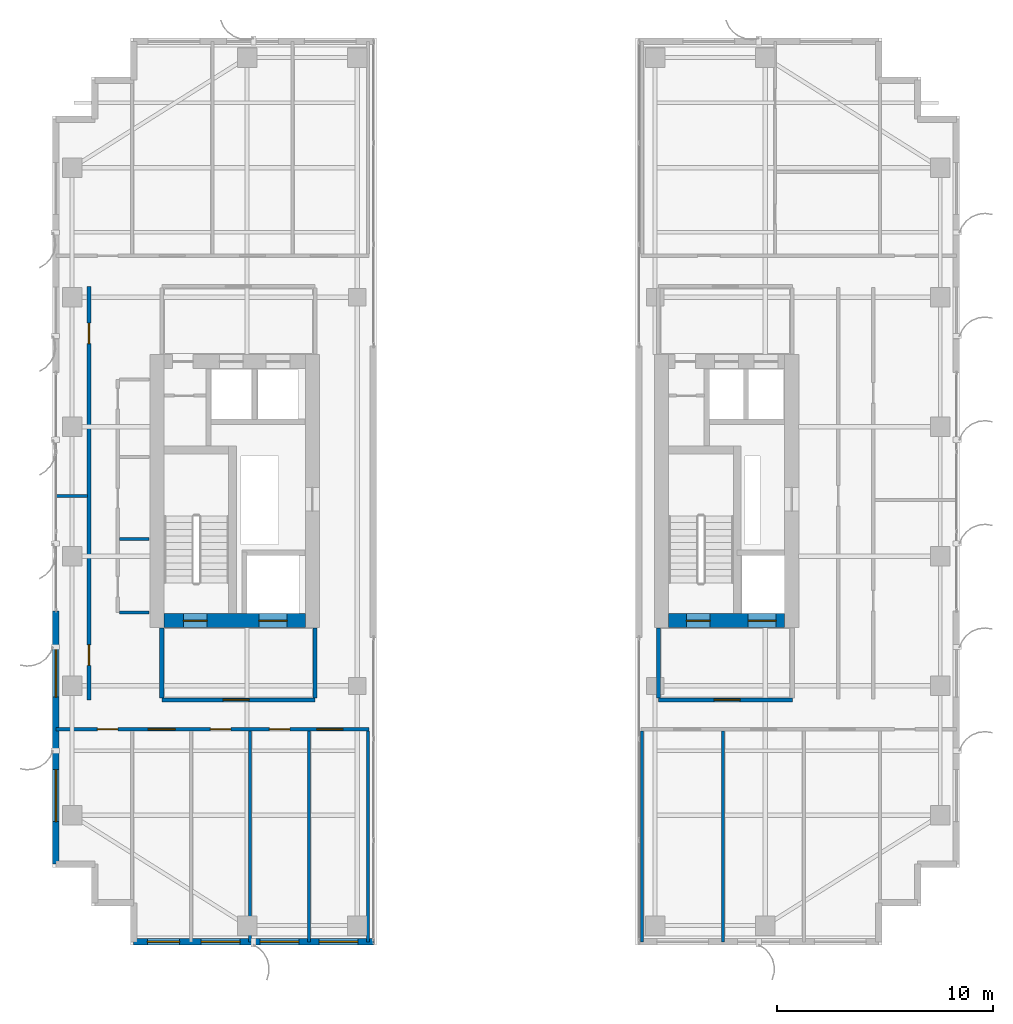
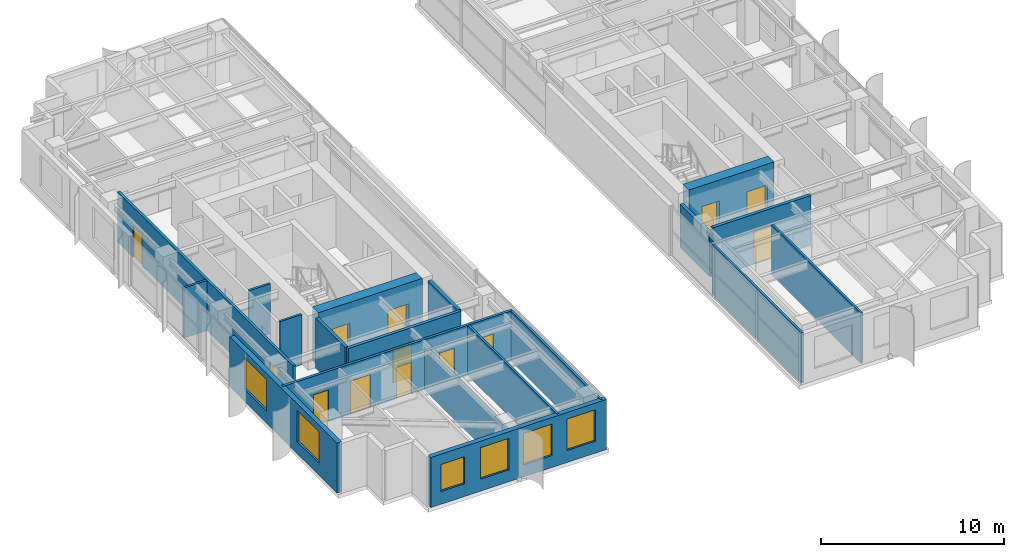
# One storey, part 16 of 22: 19 walls, 13 doors, 6 windows, 19 openings.
"""IFC4 building model written with IfcOpenShell, lengths in metres."""

import ifcopenshell
import ifcopenshell.guid

model = None  # the IFC model being written
_history = None  # IfcOwnerHistory: only IFC2X3 demands one
_inside = {}  # id of a spatial element -> (the spatial element, [elements in it])
_under = {}  # id of a project, library or spatial element -> (it, [spatial elements below it])
_declared = {}  # id of a project -> (the project, [libraries it declares])
_typed = {}  # id of a type object -> (the type object, [elements of that type])
_made_of = {}  # id of a material, layer set ... -> (it, [elements and type objects made of it])


def new_model(schema):
    """Start an empty IFC model of exactly this schema.

    Asked for "IFC4X3", IfcOpenShell would pick the latest addendum, in which some entities
    have other attributes; the version numbers below select the first issue.
    IFC2X3 requires an IfcOwnerHistory on every rooted entity: one is made here for all.
    """
    global model, _history
    if schema == "IFC4X3":
        model = ifcopenshell.file(schema_version=(4, 3, 0, 0))
    else:
        model = ifcopenshell.file(schema=schema)
    _inside.clear()
    _under.clear()
    _declared.clear()
    _typed.clear()
    _made_of.clear()
    _history = None
    if model.schema == "IFC2X3":
        org = make("IfcOrganization", Name="unknown")
        user = make(
            "IfcPersonAndOrganization",
            ThePerson=make("IfcPerson", FamilyName="unknown"),
            TheOrganization=org,
        )
        app = make(
            "IfcApplication",
            ApplicationDeveloper=org,
            Version="unknown",
            ApplicationFullName="unknown",
            ApplicationIdentifier="unknown",
        )
        _history = make(
            "IfcOwnerHistory",
            OwningUser=user,
            OwningApplication=app,
            ChangeAction="ADDED",
            CreationDate=0,
        )
    return model


def make(cls, **values):
    """One entity of the class cls with the attributes given. An attribute that is None is left unset."""
    return model.create_entity(
        cls, **{name: value for name, value in values.items() if value is not None}
    )


def rooted(cls, **values):
    """An entity with a GlobalId (a new one), such as an element, a storey or a relation."""
    return make(cls, GlobalId=ifcopenshell.guid.new(), OwnerHistory=_history, **values)


def si_unit(unit_type, name, prefix=None):
    """IfcSIUnit, for example si_unit("LENGTHUNIT", "METRE", prefix="MILLI")."""
    return make("IfcSIUnit", UnitType=unit_type, Prefix=prefix, Name=name)


def assignment(units):
    """IfcUnitAssignment: the units of a project."""
    return None if units is None else make("IfcUnitAssignment", Units=units)


def point(xyz):
    """IfcCartesianPoint."""
    return None if xyz is None else make("IfcCartesianPoint", Coordinates=xyz)


def direction(xyz):
    """IfcDirection."""
    return None if xyz is None else make("IfcDirection", DirectionRatios=xyz)


def frame(location, z_axis=None, x_axis=None):
    """IfcAxis2Placement3D, a coordinate frame: its origin and axes. An axis left out is left unset."""
    return make(
        "IfcAxis2Placement3D",
        Location=point(location),
        Axis=direction(z_axis),
        RefDirection=direction(x_axis),
    )


def frame_2d(location, x_axis=None):
    """IfcAxis2Placement2D, a coordinate frame in the plane: its origin and x axis."""
    return make(
        "IfcAxis2Placement2D", Location=point(location), RefDirection=direction(x_axis)
    )


def origin():
    """The frame at (0, 0, 0) with its axes left unset."""
    return frame((0.0, 0.0, 0.0))


def place(relative_to, where):
    """IfcLocalPlacement: puts the frame where relative to a parent placement (None: the world)."""
    return make(
        "IfcLocalPlacement", PlacementRelTo=relative_to, RelativePlacement=where
    )


def context(
    kind, dimensions, precision=None, world=None, true_north=None, identifier=None
):
    """IfcGeometricRepresentationContext, for example the 3D "Model" context."""
    return make(
        "IfcGeometricRepresentationContext",
        ContextIdentifier=identifier,
        ContextType=kind,
        CoordinateSpaceDimension=dimensions,
        Precision=precision,
        WorldCoordinateSystem=world,
        TrueNorth=true_north,
    )


def subcontext(parent, identifier, kind, view, scale=None):
    """IfcGeometricRepresentationSubContext, for example "Body" below "Model"."""
    return make(
        "IfcGeometricRepresentationSubContext",
        ContextIdentifier=identifier,
        ContextType=kind,
        ParentContext=parent,
        TargetScale=scale,
        TargetView=view,
    )


def project(units=None, contexts=None):
    """IfcProject with its units and contexts."""
    return rooted(
        "IfcProject",
        Name="project",
        RepresentationContexts=contexts,
        UnitsInContext=assignment(units),
    )


def spatial(cls, under=None, at=None, **own):
    """A site, building, storey or space (cls), placed at a placement, below another one or the project."""
    s = rooted(cls, ObjectPlacement=at, **own)
    if under is not None:
        _under.setdefault(under.id(), (under, []))[1].append(s)
    return s


def profile(cls, at=None, kind="AREA", **sizes):
    """A parametric profile (cls). Its sizes go by their IFC names, for example OverallWidth=200.0."""
    return make(cls, ProfileType=kind, Position=at, **sizes)


def rectangle(**sizes):
    """IfcRectangleProfileDef."""
    return profile("IfcRectangleProfileDef", **sizes)


def extrude(swept, where, along, depth):
    """IfcExtrudedAreaSolid: the profile swept, set in the frame where, extruded along a direction by depth."""
    return make(
        "IfcExtrudedAreaSolid",
        SweptArea=swept,
        Position=where,
        ExtrudedDirection=direction(along),
        Depth=depth,
    )


def shape(context_of_items, identifier, shape_type, items):
    """IfcShapeRepresentation: the items that make up one representation, for example the "Body"."""
    return make(
        "IfcShapeRepresentation",
        ContextOfItems=context_of_items,
        RepresentationIdentifier=identifier,
        RepresentationType=shape_type,
        Items=items,
    )


def source(mapping_origin, context_of_items, identifier, shape_type, items):
    """IfcRepresentationMap: a shape defined once, which mapped items show again and again."""
    return make(
        "IfcRepresentationMap",
        MappingOrigin=mapping_origin,
        MappedRepresentation=shape(context_of_items, identifier, shape_type, items),
    )


def transform(
    local_origin,
    x_axis=None,
    y_axis=None,
    z_axis=None,
    scale=None,
    scale2=None,
    scale3=None,
    uniform=True,
):
    """IfcCartesianTransformationOperator3D, or its non-uniform kind. x_axis, y_axis, z_axis: its Axis1, 2, 3."""
    if uniform:
        return make(
            "IfcCartesianTransformationOperator3D",
            Axis1=direction(x_axis),
            Axis2=direction(y_axis),
            LocalOrigin=point(local_origin),
            Scale=scale,
            Axis3=direction(z_axis),
        )
    return make(
        "IfcCartesianTransformationOperator3DnonUniform",
        Axis1=direction(x_axis),
        Axis2=direction(y_axis),
        LocalOrigin=point(local_origin),
        Scale=scale,
        Axis3=direction(z_axis),
        Scale2=scale2,
        Scale3=scale3,
    )


def mapped(mapping_source, mapping_target):
    """IfcMappedItem: shows the shape of a source again, moved by a transform."""
    return make(
        "IfcMappedItem", MappingSource=mapping_source, MappingTarget=mapping_target
    )


def material(Name=None, Category=None):
    """IfcMaterial."""
    return make("IfcMaterial", Name=Name, Category=Category)


def layer(
    of_material, thickness, ventilated=None, Name=None, Category=None, Priority=None
):
    """IfcMaterialLayer: one layer of a wall or slab, of a material (None: an air gap)."""
    return make(
        "IfcMaterialLayer",
        Material=of_material,
        LayerThickness=thickness,
        IsVentilated=ventilated,
        Name=Name,
        Category=Category,
        Priority=Priority,
    )


def layer_set(layers, Name=None):
    """IfcMaterialLayerSet."""
    return make("IfcMaterialLayerSet", MaterialLayers=layers, LayerSetName=Name)


def made_of(thing, what):
    """Note that an element or type object is made of a material, layer set ...; save() writes the relation."""
    if what is not None:
        _made_of.setdefault(what.id(), (what, []))[1].append(thing)
    return thing


def type_object(cls, material=None, **own):
    """A type object (cls), such as IfcWallType, which elements share."""
    return made_of(rooted(cls, **own), material)


def element(
    cls,
    number,
    at=None,
    inside=None,
    cuts=None,
    type_object=None,
    material=None,
    context=None,
    identifier="Body",
    shape_type=None,
    held_by="IfcProductDefinitionShape",
    body=None,
    shapes=None,
    **own,
):
    """One element of the class cls, such as IfcWall. Its Tag is "e" and its number.

    at: its placement. inside: the storey or other place that contains it. cuts: it is an
    opening in that element (IfcRelVoidsElement). A single representation is given by context,
    identifier, shape_type and body (its items); several are given by shapes. held_by: the class
    of the entity that holds the representations. save() writes the other relations.
    """
    e = rooted(cls, Tag="e%d" % number, ObjectPlacement=at, **own)
    if body is not None:
        shapes = [shape(context, identifier, shape_type, body)]
    if shapes is not None:
        e.Representation = make(held_by, Representations=shapes)
    if inside is not None:
        _inside.setdefault(inside.id(), (inside, []))[1].append(e)
    if cuts is not None:
        rooted(
            "IfcRelVoidsElement", RelatingBuildingElement=cuts, RelatedOpeningElement=e
        )
    if type_object is not None:
        _typed.setdefault(type_object.id(), (type_object, []))[1].append(e)
    return made_of(e, material)


def fill(opening, filler):
    """IfcRelFillsElement: the door or window that sits in an opening."""
    return rooted(
        "IfcRelFillsElement",
        RelatingOpeningElement=opening,
        RelatedBuildingElement=filler,
    )


def aggregate(whole, parts):
    """IfcRelAggregates: a whole, such as a stair, and the parts it consists of."""
    return rooted("IfcRelAggregates", RelatingObject=whole, RelatedObjects=parts)


def save(model, path):
    """Write the relations noted so far, then the file.

    IfcRelAggregates (storeys below a building ...), IfcRelContainedInSpatialStructure (elements
    in a storey), IfcRelDefinesByType, IfcRelAssociatesMaterial and IfcRelDeclares: one each for
    every whole, place, type object, material and project.
    """
    for whole, parts in _under.values():
        aggregate(whole, parts)
    for where, things in _inside.values():
        rooted(
            "IfcRelContainedInSpatialStructure",
            RelatedElements=things,
            RelatingStructure=where,
        )
    for kind, things in _typed.values():
        rooted("IfcRelDefinesByType", RelatedObjects=things, RelatingType=kind)
    for what, things in _made_of.values():
        rooted("IfcRelAssociatesMaterial", RelatedObjects=things, RelatingMaterial=what)
    for by, libraries in _declared.values():
        rooted("IfcRelDeclares", RelatingContext=by, RelatedDefinitions=libraries)
    model.write(path)


model = new_model("IFC4")

# Units and contexts
model_context = context("Model", 3, precision=1e-05, world=origin(), true_north=direction((0.0, 1.0)))
body_context = subcontext(model_context, "Body", "Model", "MODEL_VIEW")
ifc_project = project(units=[si_unit("LENGTHUNIT", "METRE"), si_unit("AREAUNIT", "SQUARE_METRE"), si_unit("VOLUMEUNIT", "CUBIC_METRE"), si_unit("PLANEANGLEUNIT", "RADIAN"), si_unit("MASSUNIT", "GRAM", prefix="KILO")], contexts=[model_context])

# Site, building, storey
site_placement = place(None, origin())
site = spatial("IfcSite", under=ifc_project, at=site_placement, CompositionType="ELEMENT")
building_placement = place(site_placement, origin())
building = spatial("IfcBuilding", under=site, at=building_placement, Name="Khoralis Quay Care Tower", CompositionType="ELEMENT")
storey_placement = place(building_placement, frame((0.0, 0.0, 195.300048828125)))
storey = spatial("IfcBuildingStorey", under=building, at=storey_placement, Name="L51", CompositionType="ELEMENT", Elevation=195.300048828125)

# Wall, opening, door
ifc_material_1 = material(Name="Gypsum plasterboard on acoustic metal stud")
ifc_layer_1 = layer(ifc_material_1, 0.199951171875)
ifc_layer_set_1 = layer_set([ifc_layer_1], Name="Gypsum plasterboard on acoustic metal stud")
wall_type_1 = type_object("IfcWallType", Name="WL-COMP-200", PredefinedType="PARTITIONING", material=ifc_layer_set_1)
wall_1_placement = place(storey_placement, frame((8.050048828125, 11.35009765625, 0.0), z_axis=(0.0, 0.0, 1.0), x_axis=(1.0, 0.0, 0.0)))
wall_1 = element("IfcWall", 1, at=wall_1_placement, inside=storey, type_object=wall_type_1, Name="L51 West Firefighting Lobby South Wall", PredefinedType="PARTITIONING", context=body_context, shape_type="SweptSolid", body=[
    extrude(rectangle(XDim=7.099853515625, YDim=0.199951171875, at=frame_2d((3.5498046875, 0.0))), origin(), (0.0, 0.0, 1.0), 3.33984375),
])
opening_1_placement = place(wall_1_placement, frame((2.846435546875, 0.0, 0.0)))
opening_1 = element("IfcOpeningElement", 2, at=opening_1_placement, cuts=wall_1, Name="Opening FD1", PredefinedType="OPENING", context=body_context, shape_type="SweptSolid", body=[
    extrude(rectangle(XDim=1.199951171875, YDim=2.199951171875, at=frame_2d((0.60009765625, 1.10009765625))), frame((0.0, 0.10986328125, 0.0), z_axis=(0.0, -1.0, 0.0), x_axis=(1.0, 0.0, 0.0)), (0.0, 0.0, 1.0), 0.219970703125),
])
ifc_material_2 = material(Name="Fire-rated painted steel", Category="steel")
door_type_1 = type_object("IfcDoorType", Name="DR-FFL-1200X2200", OperationType="NOTDEFINED", PredefinedType="DOOR", material=ifc_material_2)
shared_shape_1 = source(origin(), body_context, "Body", "SweptSolid", [
    extrude(rectangle(XDim=1.199951171875, YDim=2.199951171875, at=frame_2d((0.60009765625, 1.10009765625))), frame((0.0, 0.02490234375, 0.0), z_axis=(0.0, -1.0, 0.0), x_axis=(1.0, 0.0, 0.0)), (0.0, 0.0, 1.0), 0.050048828125),
])
door_1_placement = place(opening_1_placement, origin())
door_1 = element("IfcDoor", 3, at=door_1_placement, inside=storey, type_object=door_type_1, Name="L51 West Firefighting Lobby Fire Door", OperationType="SINGLE_SWING_LEFT", OverallHeight=2.199951171875, OverallWidth=1.199951171875, PredefinedType="DOOR", context=body_context, shape_type="MappedRepresentation", body=[
    mapped(shared_shape_1, transform((0.0, 0.0, 0.0), scale=1.0)),
])
fill(opening_1, door_1)

# Walls
for number, where, z_axis, x_axis, name in (
    (4, (8.050048828125, 11.445068359375, 0.0), (0.0, 0.0, 1.0), (0.0, 1.0, 0.0), "L51 West Firefighting Lobby West Wall"),
    (5, (15.14990234375, 11.445068359375, 0.0), (0.0, 0.0, 1.0), (0.0, 1.0, 0.0), "L51 West Firefighting Lobby East Wall"),
):
    element("IfcWall", number, at=place(storey_placement, frame(where, z_axis=z_axis, x_axis=x_axis)), inside=storey, type_object=wall_type_1, Name=name, PredefinedType="PARTITIONING", context=body_context, shape_type="SweptSolid", body=[
        extrude(rectangle(XDim=3.23486328125, YDim=0.199951171875, at=frame_2d((1.617431640625, 0.0))), origin(), (0.0, 0.0, 1.0), 3.33984375),
    ])

# Wall, opening, door
wall_2_placement = place(storey_placement, frame((31.050048828125, 11.35009765625, 0.0), z_axis=(0.0, 0.0, 1.0), x_axis=(1.0, 0.0, 0.0)))
wall_2 = element("IfcWall", 6, at=wall_2_placement, inside=storey, type_object=wall_type_1, Name="L51 East Firefighting Lobby South Wall", PredefinedType="PARTITIONING", context=body_context, shape_type="SweptSolid", body=[
    extrude(rectangle(XDim=6.199951171875, YDim=0.199951171875, at=frame_2d((3.10009765625, 0.0))), origin(), (0.0, 0.0, 1.0), 3.33984375),
])
opening_2_placement = place(wall_2_placement, frame((2.585693359375, 0.0, 0.0)))
opening_2 = element("IfcOpeningElement", 7, at=opening_2_placement, cuts=wall_2, Name="Opening FD1", PredefinedType="OPENING", context=body_context, shape_type="SweptSolid", body=[
    extrude(rectangle(XDim=1.199951171875, YDim=2.199951171875, at=frame_2d((0.60009765625, 1.10009765625))), frame((0.0, 0.10986328125, 0.0), z_axis=(0.0, -1.0, 0.0), x_axis=(1.0, 0.0, 0.0)), (0.0, 0.0, 1.0), 0.219970703125),
])
door_2_placement = place(opening_2_placement, origin())
door_2 = element("IfcDoor", 8, at=door_2_placement, inside=storey, type_object=door_type_1, Name="L51 East Firefighting Lobby Fire Door", OperationType="SINGLE_SWING_RIGHT", OverallHeight=2.199951171875, OverallWidth=1.199951171875, PredefinedType="DOOR", context=body_context, shape_type="MappedRepresentation", body=[
    mapped(shared_shape_1, transform((0.0, 0.0, 0.0), scale=1.0)),
])
fill(opening_2, door_2)

# Wall
wall_3_placement = place(storey_placement, frame((31.050048828125, 11.445068359375, 0.0), z_axis=(0.0, 0.0, 1.0), x_axis=(0.0, 1.0, 0.0)))
element("IfcWall", 9, at=wall_3_placement, inside=storey, type_object=wall_type_1, Name="L51 East Firefighting Lobby West Wall", PredefinedType="PARTITIONING", context=body_context, shape_type="SweptSolid", body=[
    extrude(rectangle(XDim=3.23486328125, YDim=0.199951171875, at=frame_2d((1.617431640625, 0.0))), origin(), (0.0, 0.0, 1.0), 2.876953125),
])

# Wall, openings, doors
ifc_material_3 = material(Name="Concrete C65/80", Category="concrete")
ifc_layer_2 = layer(ifc_material_3, 0.64990234375)
ifc_layer_set_2 = layer_set([ifc_layer_2], Name="Concrete C65/80")
wall_type_2 = type_object("IfcWallType", Name="WL-CORE-650", PredefinedType="SHEAR", material=ifc_layer_set_2)
wall_4_placement = place(storey_placement, frame((8.14990234375, 15.02490234375, 0.0), z_axis=(0.0, 0.0, 1.0), x_axis=(1.0, 0.0, 0.0)))
wall_4 = element("IfcWall", 10, at=wall_4_placement, inside=storey, type_object=wall_type_2, Name="L51 WCORE South Shear Wall", PredefinedType="SHEAR", context=body_context, shape_type="SweptSolid", body=[
    extrude(rectangle(XDim=6.550048828125, YDim=0.64990234375, at=frame_2d((3.27490234375, 0.0))), origin(), (0.0, 0.0, 1.0), 3.599853515625),
])
opening_3_placement = place(wall_4_placement, frame((0.89990234375, 0.0, 0.0)))
opening_3 = element("IfcOpeningElement", 11, at=opening_3_placement, cuts=wall_4, Name="Opening SD1", PredefinedType="OPENING", context=body_context, shape_type="SweptSolid", body=[
    extrude(rectangle(XDim=1.10009765625, YDim=2.199951171875, at=frame_2d((0.550048828125, 1.10009765625))), frame((0.0, 0.3349609375, 0.0), z_axis=(0.0, -1.0, 0.0), x_axis=(1.0, 0.0, 0.0)), (0.0, 0.0, 1.0), 0.669921875),
])
opening_4_placement = place(wall_4_placement, frame((4.39990234375, 0.0, 0.0)))
opening_4 = element("IfcOpeningElement", 12, at=opening_4_placement, cuts=wall_4, Name="Opening LD2", PredefinedType="OPENING", context=body_context, shape_type="SweptSolid", body=[
    extrude(rectangle(XDim=1.300048828125, YDim=2.199951171875, at=frame_2d((0.64990234375, 1.10009765625))), frame((0.0, 0.3349609375, 0.0), z_axis=(0.0, -1.0, 0.0), x_axis=(1.0, 0.0, 0.0)), (0.0, 0.0, 1.0), 0.669921875),
])
door_type_2 = type_object("IfcDoorType", Name="DR-STAIR-1100X2200", OperationType="NOTDEFINED", PredefinedType="DOOR", material=ifc_material_2)
shared_shape_2 = source(origin(), body_context, "Body", "SweptSolid", [
    extrude(rectangle(XDim=1.10009765625, YDim=2.199951171875, at=frame_2d((0.550048828125, 1.10009765625))), frame((0.0, 0.02490234375, 0.0), z_axis=(0.0, -1.0, 0.0), x_axis=(1.0, 0.0, 0.0)), (0.0, 0.0, 1.0), 0.050048828125),
])
door_3_placement = place(opening_3_placement, origin())
door_3 = element("IfcDoor", 13, at=door_3_placement, inside=storey, type_object=door_type_2, Name="L51 Stair ST-T1 Fire Door", OperationType="SINGLE_SWING_LEFT", OverallHeight=2.199951171875, OverallWidth=1.10009765625, PredefinedType="DOOR", context=body_context, shape_type="MappedRepresentation", body=[
    mapped(shared_shape_2, transform((0.0, 0.0, 0.0), scale=1.0)),
])
fill(opening_3, door_3)
ifc_material_4 = material(Name="Brushed stainless steel", Category="steel")
door_type_3 = type_object("IfcDoorType", Name="DR-LIFT-1300X2200", OperationType="SLIDING_TO_RIGHT", PredefinedType="DOOR", material=ifc_material_4)
shared_shape_3 = source(origin(), body_context, "Body", "SweptSolid", [
    extrude(rectangle(XDim=1.300048828125, YDim=2.199951171875, at=frame_2d((0.64990234375, 1.10009765625))), frame((0.0, 0.02490234375, 0.0), z_axis=(0.0, -1.0, 0.0), x_axis=(1.0, 0.0, 0.0)), (0.0, 0.0, 1.0), 0.050048828125),
])
door_4_placement = place(opening_4_placement, origin())
door_4 = element("IfcDoor", 14, at=door_4_placement, inside=storey, type_object=door_type_3, Name="L51 Firefighting Lift FFL-1 Landing Door", OperationType="SLIDING_TO_RIGHT", OverallHeight=2.199951171875, OverallWidth=1.300048828125, PredefinedType="DOOR", context=body_context, shape_type="MappedRepresentation", body=[
    mapped(shared_shape_3, transform((0.0, 0.0, 0.0), scale=1.0)),
])
fill(opening_4, door_4)

wall_5_placement = place(storey_placement, frame((31.52001953125, 15.02490234375, 0.0), z_axis=(0.0, 0.0, 1.0), x_axis=(1.0, 0.0, 0.0)))
wall_5 = element("IfcWall", 15, at=wall_5_placement, inside=storey, type_object=wall_type_2, Name="L51 ECORE South Shear Wall", PredefinedType="SHEAR", context=body_context, shape_type="SweptSolid", body=[
    extrude(rectangle(XDim=5.3798828125, YDim=0.64990234375, at=frame_2d((2.68994140625, 0.0))), origin(), (0.0, 0.0, 1.0), 3.599853515625),
])
opening_5_placement = place(wall_5_placement, frame((0.830078125, 0.0, 0.0)))
opening_5 = element("IfcOpeningElement", 16, at=opening_5_placement, cuts=wall_5, Name="Opening SD1", PredefinedType="OPENING", context=body_context, shape_type="SweptSolid", body=[
    extrude(rectangle(XDim=1.10009765625, YDim=2.199951171875, at=frame_2d((0.550048828125, 1.10009765625))), frame((0.0, 0.3349609375, 0.0), z_axis=(0.0, -1.0, 0.0), x_axis=(1.0, 0.0, 0.0)), (0.0, 0.0, 1.0), 0.669921875),
])
opening_6_placement = place(wall_5_placement, frame((3.679931640625, 0.0, 0.0)))
opening_6 = element("IfcOpeningElement", 17, at=opening_6_placement, cuts=wall_5, Name="Opening LD2", PredefinedType="OPENING", context=body_context, shape_type="SweptSolid", body=[
    extrude(rectangle(XDim=1.300048828125, YDim=2.199951171875, at=frame_2d((0.64990234375, 1.10009765625))), frame((0.0, 0.3349609375, 0.0), z_axis=(0.0, -1.0, 0.0), x_axis=(1.0, 0.0, 0.0)), (0.0, 0.0, 1.0), 0.669921875),
])
door_5_placement = place(opening_5_placement, origin())
door_5 = element("IfcDoor", 18, at=door_5_placement, inside=storey, type_object=door_type_2, Name="L51 Stair ST-T2 Fire Door", OperationType="SINGLE_SWING_RIGHT", OverallHeight=2.199951171875, OverallWidth=1.10009765625, PredefinedType="DOOR", context=body_context, shape_type="MappedRepresentation", body=[
    mapped(shared_shape_2, transform((0.0, 0.0, 0.0), scale=1.0)),
])
fill(opening_5, door_5)
door_6_placement = place(opening_6_placement, origin())
door_6 = element("IfcDoor", 19, at=door_6_placement, inside=storey, type_object=door_type_3, Name="L51 Firefighting Lift FFL-2 Landing Door", OperationType="SLIDING_TO_RIGHT", OverallHeight=2.199951171875, OverallWidth=1.300048828125, PredefinedType="DOOR", context=body_context, shape_type="MappedRepresentation", body=[
    mapped(shared_shape_3, transform((0.0, 0.0, 0.0), scale=1.0)),
])
fill(opening_6, door_6)

ifc_layer_3 = layer(ifc_material_1, 0.1650390625)
ifc_layer_set_3 = layer_set([ifc_layer_3], Name="Gypsum plasterboard on acoustic metal stud")
wall_type_3 = type_object("IfcWallType", Name="WL-CORR-165", PredefinedType="PARTITIONING", material=ifc_layer_set_3)
wall_6_placement = place(storey_placement, frame((3.14501953125, 9.989990234375, 0.0), z_axis=(0.0, 0.0, 1.0), x_axis=(1.0, 0.0, 0.0)))
wall_6 = element("IfcWall", 20, at=wall_6_placement, inside=storey, type_object=wall_type_3, Name="L51 West Wing South Corridor Wall", PredefinedType="PARTITIONING", context=body_context, shape_type="SweptSolid", body=[
    extrude(rectangle(XDim=14.5048828125, YDim=0.1650390625, at=frame_2d((7.25244140625, 0.0))), origin(), (0.0, 0.0, 1.0), 3.33984375),
])
opening_7_placement = place(wall_6_placement, frame((4.27490234375, 0.0, 0.0)))
opening_7 = element("IfcOpeningElement", 21, at=opening_7_placement, cuts=wall_6, Name="Opening CD1", PredefinedType="OPENING", context=body_context, shape_type="SweptSolid", body=[
    extrude(rectangle(XDim=1.25, YDim=2.199951171875, at=frame_2d((0.625, 1.10009765625))), frame((0.0, 0.092529296875, 0.0), z_axis=(0.0, -1.0, 0.0), x_axis=(1.0, 0.0, 0.0)), (0.0, 0.0, 1.0), 0.18505859375),
])
opening_8_placement = place(wall_6_placement, frame((7.155029296875, 0.0, 0.0)))
opening_8 = element("IfcOpeningElement", 22, at=opening_8_placement, cuts=wall_6, Name="Opening ID1", PredefinedType="OPENING", context=body_context, shape_type="SweptSolid", body=[
    extrude(rectangle(XDim=0.949951171875, YDim=2.10009765625, at=frame_2d((0.47509765625, 1.050048828125))), frame((0.0, 0.092529296875, 0.0), z_axis=(0.0, -1.0, 0.0), x_axis=(1.0, 0.0, 0.0)), (0.0, 0.0, 1.0), 0.18505859375),
])
opening_9_placement = place(wall_6_placement, frame((9.885009765625, 0.0, 0.0)))
opening_9 = element("IfcOpeningElement", 23, at=opening_9_placement, cuts=wall_6, Name="Opening ID1", PredefinedType="OPENING", context=body_context, shape_type="SweptSolid", body=[
    extrude(rectangle(XDim=0.949951171875, YDim=2.10009765625, at=frame_2d((0.47509765625, 1.050048828125))), frame((0.0, 0.092529296875, 0.0), z_axis=(0.0, -1.0, 0.0), x_axis=(1.0, 0.0, 0.0)), (0.0, 0.0, 1.0), 0.18505859375),
])
opening_10_placement = place(wall_6_placement, frame((12.090087890625, 0.0, 0.0)))
opening_10 = element("IfcOpeningElement", 24, at=opening_10_placement, cuts=wall_6, Name="Opening FD1", PredefinedType="OPENING", context=body_context, shape_type="SweptSolid", body=[
    extrude(rectangle(XDim=1.199951171875, YDim=2.199951171875, at=frame_2d((0.60009765625, 1.10009765625))), frame((0.0, 0.092529296875, 0.0), z_axis=(0.0, -1.0, 0.0), x_axis=(1.0, 0.0, 0.0)), (0.0, 0.0, 1.0), 0.18505859375),
])
opening_11_placement = place(wall_6_placement, frame((1.919921875, 0.0, 0.0)))
opening_11 = element("IfcOpeningElement", 25, at=opening_11_placement, cuts=wall_6, Name="Opening ID1", PredefinedType="OPENING", context=body_context, shape_type="SweptSolid", body=[
    extrude(rectangle(XDim=0.949951171875, YDim=2.10009765625, at=frame_2d((0.47509765625, 1.050048828125))), frame((0.0, 0.092529296875, 0.0), z_axis=(0.0, -1.0, 0.0), x_axis=(1.0, 0.0, 0.0)), (0.0, 0.0, 1.0), 0.18505859375),
])
door_7_placement = place(opening_10_placement, frame((1.199951171875, 0.0, 0.0), z_axis=(0.0, 0.0, 1.0), x_axis=(-1.0, 0.0, 0.0)))
door_7 = element("IfcDoor", 26, at=door_7_placement, inside=storey, type_object=door_type_1, Name="L51 Senior Wellness Pharmacy Shop Door", OperationType="DOUBLE_DOOR_SINGLE_SWING", OverallHeight=2.199951171875, OverallWidth=1.199951171875, PredefinedType="DOOR", context=body_context, shape_type="MappedRepresentation", body=[
    mapped(shared_shape_1, transform((0.0, 0.0, 0.0), scale=1.0)),
])
fill(opening_10, door_7)
ifc_material_5 = material(Name="Acoustic hardwood timber", Category="wood")
door_type_4 = type_object("IfcDoorType", Name="DR-CARE-1250X2200", OperationType="NOTDEFINED", PredefinedType="DOOR", material=ifc_material_5)
shared_shape_4 = source(origin(), body_context, "Body", "SweptSolid", [
    extrude(rectangle(XDim=1.25, YDim=2.199951171875, at=frame_2d((0.625, 1.10009765625))), frame((0.0, 0.02490234375, 0.0), z_axis=(0.0, -1.0, 0.0), x_axis=(1.0, 0.0, 0.0)), (0.0, 0.0, 1.0), 0.050048828125),
])
door_8_placement = place(opening_7_placement, frame((1.25, 0.0, 0.0), z_axis=(0.0, 0.0, 1.0), x_axis=(-1.0, 0.0, 0.0)))
door_8 = element("IfcDoor", 27, at=door_8_placement, inside=storey, type_object=door_type_4, Name="L51 Geriatric Consultation Clinic Door", OperationType="SINGLE_SWING_RIGHT", OverallHeight=2.199951171875, OverallWidth=1.25, PredefinedType="DOOR", context=body_context, shape_type="MappedRepresentation", body=[
    mapped(shared_shape_4, transform((0.0, 0.0, 0.0), scale=1.0)),
])
fill(opening_7, door_8)
door_type_5 = type_object("IfcDoorType", Name="DR-ROOM-950X2100", OperationType="NOTDEFINED", PredefinedType="DOOR", material=ifc_material_5)
shared_shape_5 = source(origin(), body_context, "Body", "SweptSolid", [
    extrude(rectangle(XDim=0.949951171875, YDim=2.10009765625, at=frame_2d((0.47509765625, 1.050048828125))), frame((0.0, 0.02490234375, 0.0), z_axis=(0.0, -1.0, 0.0), x_axis=(1.0, 0.0, 0.0)), (0.0, 0.0, 1.0), 0.050048828125),
])
door_9_placement = place(opening_8_placement, frame((0.949951171875, 0.0, 0.0), z_axis=(0.0, 0.0, 1.0), x_axis=(-1.0, 0.0, 0.0)))
door_9 = element("IfcDoor", 28, at=door_9_placement, inside=storey, type_object=door_type_5, Name="L51 Care Coordination Office Door", OperationType="SINGLE_SWING_RIGHT", OverallHeight=2.10009765625, OverallWidth=0.949951171875, PredefinedType="DOOR", context=body_context, shape_type="MappedRepresentation", body=[
    mapped(shared_shape_5, transform((0.0, 0.0, 0.0), scale=1.0)),
])
fill(opening_8, door_9)
door_10_placement = place(opening_9_placement, frame((0.949951171875, 0.0, 0.0), z_axis=(0.0, 0.0, 1.0), x_axis=(-1.0, 0.0, 0.0)))
door_10 = element("IfcDoor", 29, at=door_10_placement, inside=storey, type_object=door_type_5, Name="L51 Family Case Conference Room Door", OperationType="SINGLE_SWING_LEFT", OverallHeight=2.10009765625, OverallWidth=0.949951171875, PredefinedType="DOOR", context=body_context, shape_type="MappedRepresentation", body=[
    mapped(shared_shape_5, transform((0.0, 0.0, 0.0), scale=1.0)),
])
fill(opening_9, door_10)
door_11_placement = place(opening_11_placement, frame((0.949951171875, 0.0, 0.0), z_axis=(0.0, 0.0, 1.0), x_axis=(-1.0, 0.0, 0.0)))
door_11 = element("IfcDoor", 30, at=door_11_placement, inside=storey, type_object=door_type_5, Name="L51 SW Corner Door", OperationType="SINGLE_SWING_LEFT", OverallHeight=2.10009765625, OverallWidth=0.949951171875, PredefinedType="DOOR", context=body_context, shape_type="MappedRepresentation", body=[
    mapped(shared_shape_5, transform((0.0, 0.0, 0.0), scale=1.0)),
])
fill(opening_11, door_11)

wall_7_placement = place(storey_placement, frame((4.679931640625, 11.35009765625, 0.0), z_axis=(0.0, 0.0, 1.0), x_axis=(0.0, 1.0, 0.0)))
wall_7 = element("IfcWall", 31, at=wall_7_placement, inside=storey, type_object=wall_type_3, Name="L51 West Mid South Entry Wall", PredefinedType="PARTITIONING", context=body_context, shape_type="SweptSolid", body=[
    extrude(rectangle(XDim=19.14990234375, YDim=0.1650390625, at=frame_2d((9.574951171875, 0.0))), origin(), (0.0, 0.0, 1.0), 3.33984375),
])
opening_12_placement = place(wall_7_placement, frame((1.60009765625, 0.0, 0.0)))
opening_12 = element("IfcOpeningElement", 32, at=opening_12_placement, cuts=wall_7, Name="Opening ID1", PredefinedType="OPENING", context=body_context, shape_type="SweptSolid", body=[
    extrude(rectangle(XDim=0.949951171875, YDim=2.10009765625, at=frame_2d((0.47509765625, 1.050048828125))), frame((0.0, 0.092529296875, 0.0), z_axis=(0.0, -1.0, 0.0), x_axis=(1.0, 0.0, 0.0)), (0.0, 0.0, 1.0), 0.18505859375),
])
opening_13_placement = place(wall_7_placement, frame((16.5, 0.0, 0.0)))
opening_13 = element("IfcOpeningElement", 33, at=opening_13_placement, cuts=wall_7, Name="Opening ID1", PredefinedType="OPENING", context=body_context, shape_type="SweptSolid", body=[
    extrude(rectangle(XDim=0.949951171875, YDim=2.10009765625, at=frame_2d((0.47509765625, 1.050048828125))), frame((0.0, 0.092529296875, 0.0), z_axis=(0.0, -1.0, 0.0), x_axis=(1.0, 0.0, 0.0)), (0.0, 0.0, 1.0), 0.18505859375),
])
door_12_placement = place(opening_12_placement, frame((0.949951171875, 0.0, 0.0), z_axis=(0.0, 0.0, 1.0), x_axis=(-1.0, 0.0, 0.0)))
door_12 = element("IfcDoor", 34, at=door_12_placement, inside=storey, type_object=door_type_5, Name="L51 West Waterfront Living Suite Door", OperationType="SINGLE_SWING_LEFT", OverallHeight=2.10009765625, OverallWidth=0.949951171875, PredefinedType="DOOR", context=body_context, shape_type="MappedRepresentation", body=[
    mapped(shared_shape_5, transform((0.0, 0.0, 0.0), scale=1.0)),
])
fill(opening_12, door_12)
door_13_placement = place(opening_13_placement, frame((0.949951171875, 0.0, 0.0), z_axis=(0.0, 0.0, 1.0), x_axis=(-1.0, 0.0, 0.0)))
door_13 = element("IfcDoor", 35, at=door_13_placement, inside=storey, type_object=door_type_5, Name="L51 West Care Coordinator Office Door", OperationType="SINGLE_SWING_RIGHT", OverallHeight=2.10009765625, OverallWidth=0.949951171875, PredefinedType="DOOR", context=body_context, shape_type="MappedRepresentation", body=[
    mapped(shared_shape_5, transform((0.0, 0.0, 0.0), scale=1.0)),
])
fill(opening_13, door_13)

# Wall, openings, windows
ifc_material_6 = material(Name="Precast concrete C45/55", Category="concrete")
ifc_layer_4 = layer(ifc_material_6, 0.300048828125)
ifc_layer_set_4 = layer_set([ifc_layer_4], Name="Precast concrete C45/55")
wall_type_4 = type_object("IfcWallType", Name="WL-EXT-REF-300", PredefinedType="SOLIDWALL", material=ifc_layer_set_4)
wall_8_placement = place(storey_placement, frame((6.75, 0.14990234375, 0.0), z_axis=(0.0, 0.0, 1.0), x_axis=(1.0, 0.0, 0.0)))
wall_8 = element("IfcWall", 36, at=wall_8_placement, inside=storey, type_object=wall_type_4, Name="L51 External Facade Wall WL-EXT-L51-P1-E0", PredefinedType="SOLIDWALL", context=body_context, shape_type="SweptSolid", body=[
    extrude(rectangle(XDim=11.10009765625, YDim=0.300048828125, at=frame_2d((5.550048828125, 0.0))), origin(), (0.0, 0.0, 1.0), 3.33984375),
])
opening_14_placement = place(wall_8_placement, frame((0.6298828125, 0.0, 0.85009765625)))
opening_14 = element("IfcOpeningElement", 37, at=opening_14_placement, cuts=wall_8, Name="Opening W3", PredefinedType="OPENING", context=body_context, shape_type="SweptSolid", body=[
    extrude(rectangle(XDim=1.5, YDim=1.800048828125, at=frame_2d((0.75, 0.89990234375))), frame((0.0, 0.16015625, 0.0), z_axis=(0.0, -1.0, 0.0), x_axis=(1.0, 0.0, 0.0)), (0.0, 0.0, 1.0), 0.320068359375),
])
opening_15_placement = place(wall_8_placement, frame((3.125, 0.0, 0.800048828125)))
opening_15 = element("IfcOpeningElement", 38, at=opening_15_placement, cuts=wall_8, Name="Opening W2", PredefinedType="OPENING", context=body_context, shape_type="SweptSolid", body=[
    extrude(rectangle(XDim=1.800048828125, YDim=2.10009765625, at=frame_2d((0.89990234375, 1.050048828125))), frame((0.0, 0.16015625, 0.0), z_axis=(0.0, -1.0, 0.0), x_axis=(1.0, 0.0, 0.0)), (0.0, 0.0, 1.0), 0.320068359375),
])
opening_16_placement = place(wall_8_placement, frame((5.85498046875, 0.0, 0.800048828125)))
opening_16 = element("IfcOpeningElement", 39, at=opening_16_placement, cuts=wall_8, Name="Opening W2", PredefinedType="OPENING", context=body_context, shape_type="SweptSolid", body=[
    extrude(rectangle(XDim=1.800048828125, YDim=2.10009765625, at=frame_2d((0.89990234375, 1.050048828125))), frame((0.0, 0.16015625, 0.0), z_axis=(0.0, -1.0, 0.0), x_axis=(1.0, 0.0, 0.0)), (0.0, 0.0, 1.0), 0.320068359375),
])
opening_17_placement = place(wall_8_placement, frame((8.5849609375, 0.0, 0.800048828125)))
opening_17 = element("IfcOpeningElement", 40, at=opening_17_placement, cuts=wall_8, Name="Opening W2", PredefinedType="OPENING", context=body_context, shape_type="SweptSolid", body=[
    extrude(rectangle(XDim=1.800048828125, YDim=2.10009765625, at=frame_2d((0.89990234375, 1.050048828125))), frame((0.0, 0.16015625, 0.0), z_axis=(0.0, -1.0, 0.0), x_axis=(1.0, 0.0, 0.0)), (0.0, 0.0, 1.0), 0.320068359375),
])
ifc_material_7 = material(Name="Low-E solar-control double glazing", Category="glass")
window_type_1 = type_object("IfcWindowType", Name="WN-CLIN-1500X1800", PartitioningType="SINGLE_PANEL", PredefinedType="WINDOW", material=ifc_material_7)
shared_shape_6 = source(origin(), body_context, "Body", "SweptSolid", [
    extrude(rectangle(XDim=1.5, YDim=1.800048828125, at=frame_2d((0.75, 0.89990234375))), frame((0.0, 0.030029296875, 0.0), z_axis=(0.0, -1.0, 0.0), x_axis=(1.0, 0.0, 0.0)), (0.0, 0.0, 1.0), 0.06005859375),
])
window_1_placement = place(opening_14_placement, origin())
window_1 = element("IfcWindow", 41, at=window_1_placement, inside=storey, type_object=window_type_1, Name="WN-L51-P1-E0 Facade Window 01", OverallHeight=1.800048828125, OverallWidth=1.5, PartitioningType="SINGLE_PANEL", PredefinedType="WINDOW", context=body_context, shape_type="MappedRepresentation", body=[
    mapped(shared_shape_6, transform((0.0, 0.0, 0.0), scale=1.0)),
])
fill(opening_14, window_1)
window_type_2 = type_object("IfcWindowType", Name="WN-POD-1800X2100", PartitioningType="SINGLE_PANEL", PredefinedType="WINDOW", material=ifc_material_7)
shared_shape_7 = source(origin(), body_context, "Body", "SweptSolid", [
    extrude(rectangle(XDim=1.800048828125, YDim=2.10009765625, at=frame_2d((0.89990234375, 1.050048828125))), frame((0.0, 0.030029296875, 0.0), z_axis=(0.0, -1.0, 0.0), x_axis=(1.0, 0.0, 0.0)), (0.0, 0.0, 1.0), 0.06005859375),
])
window_2_placement = place(opening_15_placement, origin())
window_2 = element("IfcWindow", 42, at=window_2_placement, inside=storey, type_object=window_type_2, Name="WN-L51-P1-E0 Facade Window 02", OverallHeight=2.10009765625, OverallWidth=1.800048828125, PartitioningType="SINGLE_PANEL", PredefinedType="WINDOW", context=body_context, shape_type="MappedRepresentation", body=[
    mapped(shared_shape_7, transform((0.0, 0.0, 0.0), scale=1.0)),
])
fill(opening_15, window_2)
window_3_placement = place(opening_16_placement, origin())
window_3 = element("IfcWindow", 43, at=window_3_placement, inside=storey, type_object=window_type_2, Name="WN-L51-P1-E0 Facade Window 03", OverallHeight=2.10009765625, OverallWidth=1.800048828125, PartitioningType="SINGLE_PANEL", PredefinedType="WINDOW", context=body_context, shape_type="MappedRepresentation", body=[
    mapped(shared_shape_7, transform((0.0, 0.0, 0.0), scale=1.0)),
])
fill(opening_16, window_3)
window_4_placement = place(opening_17_placement, origin())
window_4 = element("IfcWindow", 44, at=window_4_placement, inside=storey, type_object=window_type_2, Name="WN-L51-P1-E0 Facade Window 04", OverallHeight=2.10009765625, OverallWidth=1.800048828125, PartitioningType="SINGLE_PANEL", PredefinedType="WINDOW", context=body_context, shape_type="MappedRepresentation", body=[
    mapped(shared_shape_7, transform((0.0, 0.0, 0.0), scale=1.0)),
])
fill(opening_17, window_4)

wall_9_placement = place(storey_placement, frame((3.14990234375, 15.47998046875, 0.0), z_axis=(0.0, 0.0, 1.0), x_axis=(0.0, -1.0, 0.0)))
wall_9 = element("IfcWall", 45, at=wall_9_placement, inside=storey, type_object=wall_type_4, Name="L51 External Facade Wall WL-EXT-L51-P1-E7B", PredefinedType="SOLIDWALL", context=body_context, shape_type="SweptSolid", body=[
    extrude(rectangle(XDim=11.72998046875, YDim=0.300048828125, at=frame_2d((5.864990234375, 0.0))), origin(), (0.0, 0.0, 1.0), 3.33984375),
])
opening_18_placement = place(wall_9_placement, frame((1.594970703125, 0.0, 0.800048828125)))
opening_18 = element("IfcOpeningElement", 46, at=opening_18_placement, cuts=wall_9, Name="Opening W1", PredefinedType="OPENING", context=body_context, shape_type="SweptSolid", body=[
    extrude(rectangle(XDim=2.39990234375, YDim=2.10009765625, at=frame_2d((1.199951171875, 1.050048828125))), frame((0.0, 0.16015625, 0.0), z_axis=(0.0, -1.0, 0.0), x_axis=(1.0, 0.0, 0.0)), (0.0, 0.0, 1.0), 0.320068359375),
])
opening_19_placement = place(wall_9_placement, frame((7.360107421875, 0.0, 0.800048828125)))
opening_19 = element("IfcOpeningElement", 47, at=opening_19_placement, cuts=wall_9, Name="Opening W1", PredefinedType="OPENING", context=body_context, shape_type="SweptSolid", body=[
    extrude(rectangle(XDim=2.39990234375, YDim=2.10009765625, at=frame_2d((1.199951171875, 1.050048828125))), frame((0.0, 0.16015625, 0.0), z_axis=(0.0, -1.0, 0.0), x_axis=(1.0, 0.0, 0.0)), (0.0, 0.0, 1.0), 0.320068359375),
])
window_type_3 = type_object("IfcWindowType", Name="WN-POD-2400X2100", PartitioningType="SINGLE_PANEL", PredefinedType="WINDOW", material=ifc_material_7)
shared_shape_8 = source(origin(), body_context, "Body", "SweptSolid", [
    extrude(rectangle(XDim=2.39990234375, YDim=2.10009765625, at=frame_2d((1.199951171875, 1.050048828125))), frame((0.0, 0.030029296875, 0.0), z_axis=(0.0, -1.0, 0.0), x_axis=(1.0, 0.0, 0.0)), (0.0, 0.0, 1.0), 0.06005859375),
])
window_5_placement = place(opening_18_placement, origin())
window_5 = element("IfcWindow", 48, at=window_5_placement, inside=storey, type_object=window_type_3, Name="WN-L51-P1-E7B Facade Window 01", OverallHeight=2.10009765625, OverallWidth=2.39990234375, PartitioningType="SINGLE_PANEL", PredefinedType="WINDOW", context=body_context, shape_type="MappedRepresentation", body=[
    mapped(shared_shape_8, transform((0.0, 0.0, 0.0), scale=1.0)),
])
fill(opening_18, window_5)
window_6_placement = place(opening_19_placement, origin())
window_6 = element("IfcWindow", 49, at=window_6_placement, inside=storey, type_object=window_type_3, Name="WN-L51-P1-E7B Facade Window 02", OverallHeight=2.10009765625, OverallWidth=2.39990234375, PartitioningType="SINGLE_PANEL", PredefinedType="WINDOW", context=body_context, shape_type="MappedRepresentation", body=[
    mapped(shared_shape_8, transform((0.0, 0.0, 0.0), scale=1.0)),
])
fill(opening_19, window_6)

# Walls
ifc_material_8 = material(Name="Moisture-resistant gypsum and ceramic tile")
ifc_layer_5 = layer(ifc_material_8, 0.280029296875)
ifc_layer_set_5 = layer_set([ifc_layer_5], Name="Moisture-resistant gypsum and ceramic tile")
wall_type_5 = type_object("IfcWallType", Name="WL-PLUMB-280", PredefinedType="PLUMBINGWALL", material=ifc_layer_set_5)
wall_10_placement = place(storey_placement, frame((6.097412109375, 18.800048828125, 0.0), z_axis=(0.0, 0.0, 1.0), x_axis=(1.0, 0.0, 0.0)))
element("IfcWall", 50, at=wall_10_placement, inside=storey, type_object=wall_type_5, Name="L51 West Flank Divider 1", PredefinedType="PLUMBINGWALL", context=body_context, shape_type="SweptSolid", body=[
    extrude(rectangle(XDim=1.362548828125, YDim=0.139892578125, at=frame_2d((0.68115234375, 0.0))), origin(), (0.0, 0.0, 1.0), 3.33984375),
])
ifc_layer_6 = layer(ifc_material_1, 0.139892578125)
ifc_layer_set_6 = layer_set([ifc_layer_6], Name="Gypsum plasterboard on acoustic metal stud")
wall_type_6 = type_object("IfcWallType", Name="WL-UNIT-140", PredefinedType="PARTITIONING", material=ifc_layer_set_6)
wall_11_placement = place(storey_placement, frame((6.097412109375, 15.39990234375, 0.0), z_axis=(0.0, 0.0, 1.0), x_axis=(1.0, 0.0, 0.0)))
element("IfcWall", 51, at=wall_11_placement, inside=storey, type_object=wall_type_6, Name="L51 West Flank South Cap", PredefinedType="PARTITIONING", context=body_context, shape_type="SweptSolid", body=[
    extrude(rectangle(XDim=1.362548828125, YDim=0.139892578125, at=frame_2d((0.68115234375, 0.0))), origin(), (0.0, 0.0, 1.0), 3.33984375),
])
wall_12_placement = place(storey_placement, frame((3.14501953125, 20.800048828125, 0.0), z_axis=(0.0, 0.0, 1.0), x_axis=(1.0, 0.0, 0.0)))
element("IfcWall", 52, at=wall_12_placement, inside=storey, type_object=wall_type_6, Name="L51 West Mid Split", PredefinedType="PARTITIONING", context=body_context, shape_type="SweptSolid", body=[
    extrude(rectangle(XDim=1.45751953125, YDim=0.139892578125, at=frame_2d((0.728759765625, 0.0))), origin(), (0.0, 0.0, 1.0), 3.33984375),
])
wall_13_placement = place(storey_placement, frame((12.139892578125, 0.14501953125, 0.0), z_axis=(0.0, 0.0, 1.0), x_axis=(0.0, 1.0, 0.0)))
element("IfcWall", 53, at=wall_13_placement, inside=storey, type_object=wall_type_6, Name="L51 WS Demising Wall 2", PredefinedType="PARTITIONING", context=body_context, shape_type="SweptSolid", body=[
    extrude(rectangle(XDim=9.767578125, YDim=0.139892578125, at=frame_2d((4.8837890625, 0.0))), origin(), (0.0, 0.0, 1.0), 2.876953125),
])
for number, where, z_axis, x_axis, name in (
    (54, (14.8701171875, 0.14501953125, 0.0), (0.0, 0.0, 1.0), (0.0, 1.0, 0.0), "L51 WS Demising Wall 3"),
    (55, (17.60009765625, 0.14501953125, 0.0), (0.0, 0.0, 1.0), (0.0, 1.0, 0.0), "L51 WS Demising Wall 4"),
    (56, (30.300048828125, 0.14501953125, 0.0), (0.0, 0.0, 1.0), (0.0, 1.0, 0.0), "L51 ES Demising Wall 0"),
    (57, (34.050048828125, 0.14501953125, 0.0), (0.0, 0.0, 1.0), (0.0, 1.0, 0.0), "L51 ES Demising Wall 1"),
):
    element("IfcWall", number, at=place(storey_placement, frame(where, z_axis=z_axis, x_axis=x_axis)), inside=storey, type_object=wall_type_6, Name=name, PredefinedType="PARTITIONING", context=body_context, shape_type="SweptSolid", body=[
        extrude(rectangle(XDim=9.767578125, YDim=0.139892578125, at=frame_2d((4.8837890625, 0.0))), origin(), (0.0, 0.0, 1.0), 3.33984375),
    ])

save(model, "model.ifc")
